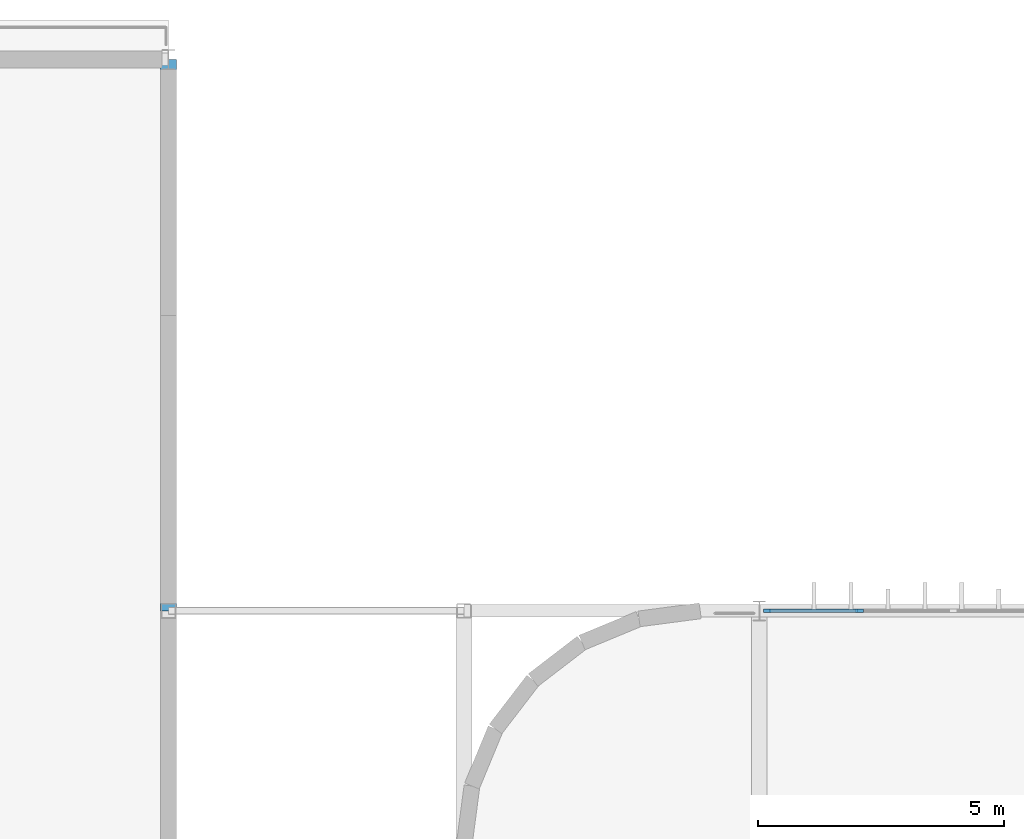
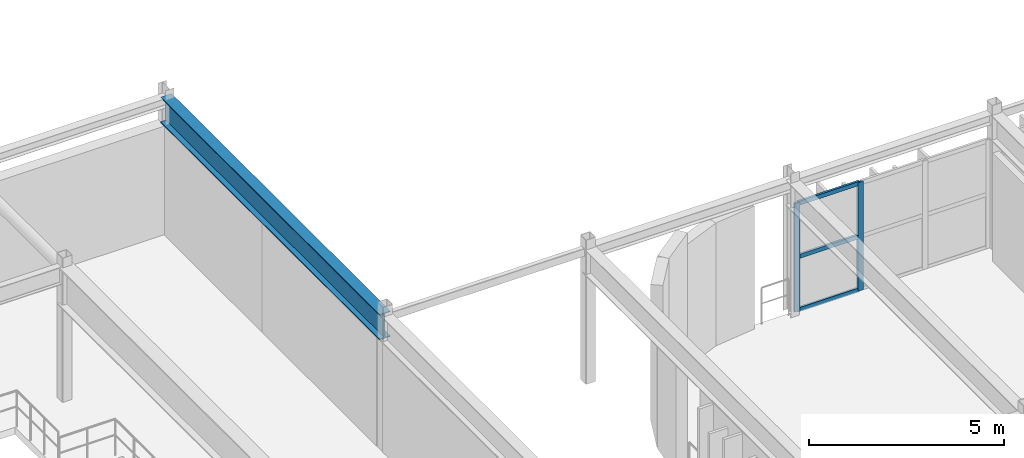
# One storey, part 45 of 96: 5 members, 1 beam, 1 element without a shape of its own.
"""IFC4 building model written with IfcOpenShell, lengths in metres."""

from ifc_helpers import new_model, si_unit, direction, frame, origin, origin_2d, place, context, subcontext, project, spatial, rectangle, i_section, extrude, material, material_profile, profile_set, type_object, element, aggregate, save


model = new_model("IFC4")

# Units and contexts
model_context = context("Model", 3, precision=1e-05, world=origin(), true_north=direction((0.0, 1.0)))
body_context = subcontext(model_context, "Body", "Model", "MODEL_VIEW")
ifc_project = project(units=[si_unit("LENGTHUNIT", "METRE"), si_unit("AREAUNIT", "SQUARE_METRE"), si_unit("VOLUMEUNIT", "CUBIC_METRE"), si_unit("PLANEANGLEUNIT", "RADIAN"), si_unit("MASSUNIT", "GRAM", prefix="KILO")], contexts=[model_context])

# Site, building, storey
site_placement = place(None, origin())
site = spatial("IfcSite", under=ifc_project, at=site_placement, CompositionType="ELEMENT")
building_placement = place(site_placement, origin())
building = spatial("IfcBuilding", under=site, at=building_placement, Name="Varnakota Square Police Headquarters", CompositionType="ELEMENT")
storey_placement = place(building_placement, frame((0.0, 0.0, 4.800048828125)))
storey = spatial("IfcBuildingStorey", under=building, at=storey_placement, Name="L01", CompositionType="ELEMENT", Elevation=4.800048828125)

# Beam
ifc_material_1 = material(Name="Steel IS 2062 Grade 350", Category="steel")
ifc_material_profile_1 = material_profile(ifc_material_1, i_section(OverallWidth=0.320068359375, OverallDepth=0.800048828125, WebThickness=0.01611328125, FlangeThickness=0.028076171875, at=origin_2d()), Name="BPG 800x320")
ifc_profile_set_1 = profile_set([ifc_material_profile_1], Name="Steel IS 2062 Grade 350")
beam_type = type_object("IfcBeamType", Name="BM-BPG800", PredefinedType="BEAM", material=ifc_profile_set_1)
beam_placement = place(storey_placement, frame((54.0, 99.0, 3.800048828125), z_axis=(0.0, 1.0, 0.0), x_axis=(-1.0, 0.0, 0.0)))
element("IfcBeam", 1, at=beam_placement, inside=storey, type_object=beam_type, Name="BMG-L01-1643", PredefinedType="BEAM", context=body_context, shape_type="SweptSolid", body=[
    extrude(i_section(OverallWidth=0.320068359375, OverallDepth=0.800048828125, WebThickness=0.01611328125, FlangeThickness=0.028076171875, at=origin_2d()), origin(), (0.0, 0.0, 1.0), 11.199951171875),
])

# Curtain wall, members
ifc_material_2 = material(Name="Anodised Aluminium Framing", Category="aluminium")
curtain_wall_type = type_object("IfcCurtainWallType", Name="CW-SYS-C", PredefinedType="NOTDEFINED", material=ifc_material_2)
curtain_wall_placement = place(storey_placement, origin())
curtain_wall = element("IfcCurtainWall", 2, at=curtain_wall_placement, inside=storey, type_object=curtain_wall_type, Name="Unitised curtain wall CWG-L01-232", PredefinedType="NOTDEFINED")
ifc_material_3 = material(Name="Anodised Aluminium 6063-T6", Category="aluminium")
ifc_material_profile_2 = material_profile(ifc_material_3, rectangle(XDim=0.06494140625, YDim=0.159912109375, at=origin_2d()), Name="ALU MULLION 65x160")
ifc_profile_set_2 = profile_set([ifc_material_profile_2], Name="Anodised Aluminium 6063-T6")
member_type_1 = type_object("IfcMemberType", Name="CWM-150", PredefinedType="MULLION", material=ifc_profile_set_2)
member_1_placement = place(storey_placement, frame((66.16259765625, 99.0, 0.0), z_axis=(0.0, 0.0, 1.0), x_axis=(0.0, 1.0, 0.0)))
member_1 = element("IfcMember", 3, at=member_1_placement, type_object=member_type_1, Name="CWG-L01-232 mullion 1", PredefinedType="MULLION", context=body_context, shape_type="SweptSolid", body=[
    extrude(rectangle(XDim=0.06494140625, YDim=0.159912109375, at=origin_2d()), origin(), (0.0, 0.0, 1.0), 3.389892578125),
])
member_2_placement = place(storey_placement, frame((68.034912109375, 99.0, 0.0), z_axis=(0.0, 0.0, 1.0), x_axis=(0.0, 1.0, 0.0)))
member_2 = element("IfcMember", 4, at=member_2_placement, type_object=member_type_1, Name="CWG-L01-232 mullion 2", PredefinedType="MULLION", context=body_context, shape_type="SweptSolid", body=[
    extrude(rectangle(XDim=0.06494140625, YDim=0.159912109375, at=origin_2d()), origin(), (0.0, 0.0, 1.0), 3.389892578125),
])
ifc_material_profile_3 = material_profile(ifc_material_3, rectangle(XDim=0.06494140625, YDim=0.1298828125, at=origin_2d()), Name="ALU TRANSOM 65x130")
ifc_profile_set_3 = profile_set([ifc_material_profile_3], Name="Anodised Aluminium 6063-T6")
member_type_2 = type_object("IfcMemberType", Name="CWT-120", PredefinedType="USERDEFINED", material=ifc_profile_set_3)
member_3_placement = place(storey_placement, frame((66.195068359375, 99.0, 0.032470703125), z_axis=(1.0, 0.0, 0.0), x_axis=(0.0, 1.0, 0.0)))
member_3 = element("IfcMember", 5, at=member_3_placement, type_object=member_type_2, Name="CWG-L01-232 transom 1.1", ObjectType="TRANSOM", PredefinedType="USERDEFINED", context=body_context, shape_type="SweptSolid", body=[
    extrude(rectangle(XDim=0.06494140625, YDim=0.1298828125, at=origin_2d()), origin(), (0.0, 0.0, 1.0), 1.807373046875),
])
member_4_placement = place(storey_placement, frame((66.195068359375, 99.0, 1.695068359375), z_axis=(1.0, 0.0, 0.0), x_axis=(0.0, 1.0, 0.0)))
member_4 = element("IfcMember", 6, at=member_4_placement, type_object=member_type_2, Name="CWG-L01-232 transom 1.2", ObjectType="TRANSOM", PredefinedType="USERDEFINED", context=body_context, shape_type="SweptSolid", body=[
    extrude(rectangle(XDim=0.06494140625, YDim=0.1298828125, at=origin_2d()), origin(), (0.0, 0.0, 1.0), 1.807373046875),
])
member_5_placement = place(storey_placement, frame((66.195068359375, 99.0, 3.357421875), z_axis=(1.0, 0.0, 0.0), x_axis=(0.0, 1.0, 0.0)))
member_5 = element("IfcMember", 7, at=member_5_placement, type_object=member_type_2, Name="CWG-L01-232 transom 1.3", ObjectType="TRANSOM", PredefinedType="USERDEFINED", context=body_context, shape_type="SweptSolid", body=[
    extrude(rectangle(XDim=0.06494140625, YDim=0.1298828125, at=origin_2d()), origin(), (0.0, 0.0, 1.0), 1.807373046875),
])
aggregate(curtain_wall, [member_1, member_2, member_3, member_4, member_5])

save(model, "model.ifc")
